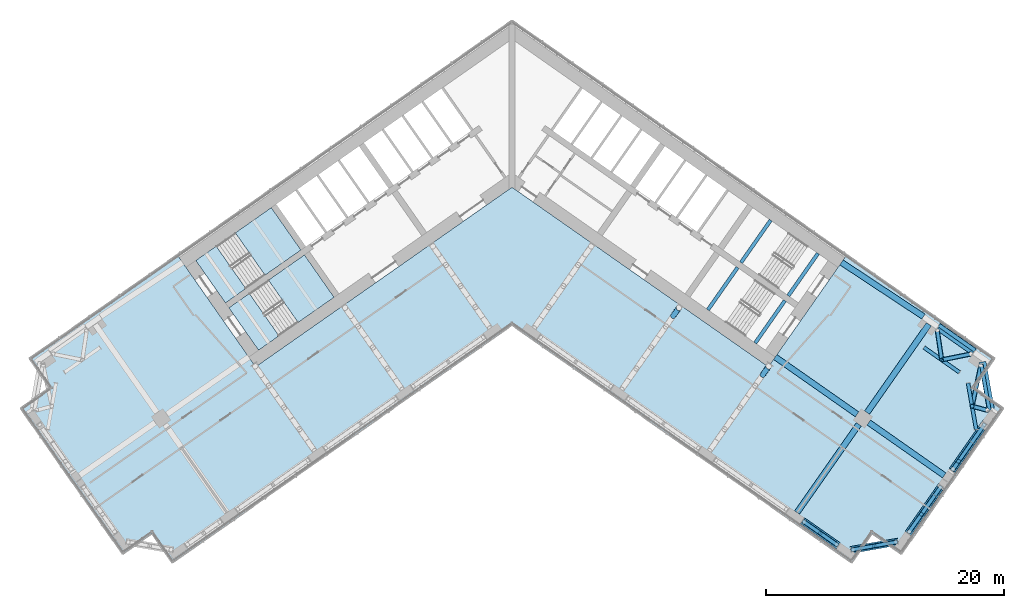
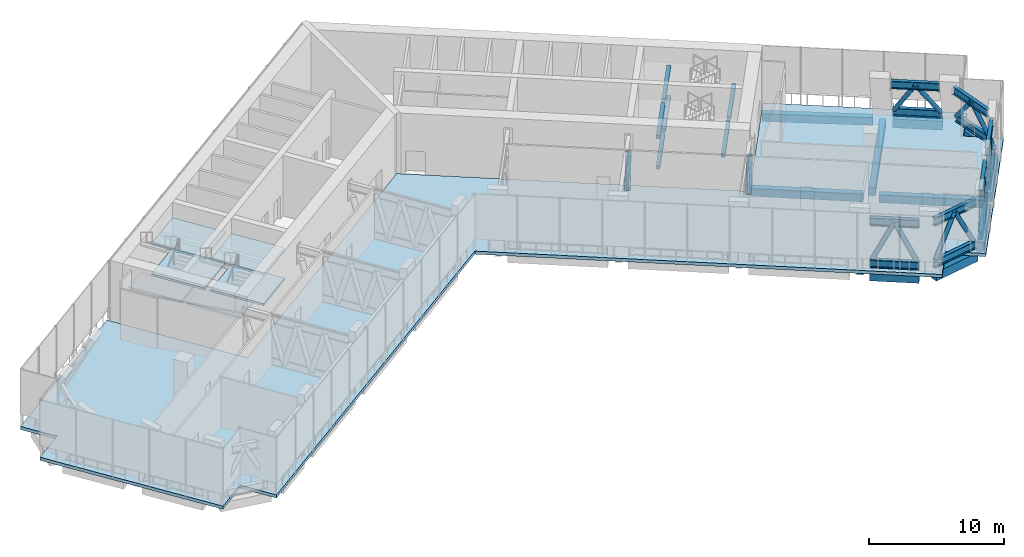
# One storey, part 3 of 24: 26 members, 17 beams, 7 slabs, 2 elements without a shape of their own.
"""IFC4 building model written with IfcOpenShell, lengths in metres."""

from ifc_helpers import new_model, si_unit, direction, frame, origin, origin_2d, place, context, subcontext, project, spatial, polyline, rectangle, hollow_circle, i_section, outline, extrude, material, layer, layer_set, material_profile, profile_set, type_object, element, aggregate, save


model = new_model("IFC4")

# Units and contexts
model_context = context("Model", 3, precision=1e-05, world=origin(), true_north=direction((0.0, 1.0)))
body_context = subcontext(model_context, "Body", "Model", "MODEL_VIEW")
ifc_project = project(units=[si_unit("LENGTHUNIT", "METRE"), si_unit("AREAUNIT", "SQUARE_METRE"), si_unit("VOLUMEUNIT", "CUBIC_METRE"), si_unit("PLANEANGLEUNIT", "RADIAN"), si_unit("MASSUNIT", "GRAM", prefix="KILO")], contexts=[model_context])

# Site, building, storey
site_placement = place(None, origin())
site = spatial("IfcSite", under=ifc_project, at=site_placement, CompositionType="ELEMENT")
building_placement = place(site_placement, origin())
building = spatial("IfcBuilding", under=site, at=building_placement, Name="Tel Ilan Convention Tower", CompositionType="ELEMENT")
storey_placement = place(building_placement, frame((0.0, 0.0, 126.5)))
storey = spatial("IfcBuildingStorey", under=building, at=storey_placement, Name="L28", CompositionType="ELEMENT", Elevation=126.5)

# Beams
ifc_material_1 = material(Name="Concrete C40/50", Category="concrete")
ifc_material_profile_1 = material_profile(ifc_material_1, rectangle(XDim=0.5, YDim=0.699951171875, at=origin_2d()), Name="RC 500x700")
ifc_profile_set_1 = profile_set([ifc_material_profile_1], Name="Concrete C40/50")
beam_type_1 = type_object("IfcBeamType", Name="Beam RC 500x700 Concrete C40/50", PredefinedType="BEAM", material=ifc_profile_set_1)
beam_1_placement = place(storey_placement, frame((34.570556640625, -12.08447265625, -0.6298828125), z_axis=(-0.834273603487, 0.551350663847, 0.0), x_axis=(-0.551350663847, -0.834273603487, 0.0)))
element("IfcBeam", 1, at=beam_1_placement, inside=storey, type_object=beam_type_1, Name="L28 beam E-E-B4-core", PredefinedType="BEAM", context=body_context, shape_type="SweptSolid", body=[
    extrude(rectangle(XDim=0.5, YDim=0.699951171875, at=origin_2d()), origin(), (0.0, 0.0, 1.0), 8.2529296875),
])
beam_2_placement = place(storey_placement, frame((22.1171875, -15.486572265625, -0.6298828125), z_axis=(0.819147254605, -0.573583276668, 0.0), x_axis=(0.573583276668, 0.819147254605, 0.0)))
element("IfcBeam", 2, at=beam_2_placement, inside=storey, type_object=beam_type_1, Name="L28 beam E-core-E-M4", PredefinedType="BEAM", context=body_context, shape_type="SweptSolid", body=[
    extrude(rectangle(XDim=0.5, YDim=0.699951171875, at=origin_2d()), origin(), (0.0, 0.0, 1.0), 8.400146484375),
])
beam_3_placement = place(storey_placement, frame((29.98095703125, -20.992919921875, -0.6298828125), z_axis=(0.819159394801, -0.573565938589, 0.0), x_axis=(0.573565938589, 0.819159394801, 0.0)))
element("IfcBeam", 3, at=beam_3_placement, inside=storey, type_object=beam_type_1, Name="L28 beam E-E-M4-end", PredefinedType="BEAM", context=body_context, shape_type="SweptSolid", body=[
    extrude(rectangle(XDim=0.5, YDim=0.699951171875, at=origin_2d()), origin(), (0.0, 0.0, 1.0), 7.75),
])
for number, where, z_axis, x_axis, name in (
    (4, (29.145263671875, -21.14013671875, -0.6298828125), (-0.573549245583, -0.819171082798, 0.0), (0.819171082798, -0.573549245583, 0.0), "L28 beam E-E-M4-E-F4"),
    (5, (29.83349609375, -20.1572265625, -0.6298828125), (0.57358002233, 0.819149533348, 0.0), (-0.819149533348, 0.57358002233, 0.0), "L28 beam E-E-M4-E-B4"),
):
    element("IfcBeam", number, at=place(storey_placement, frame(where, z_axis=z_axis, x_axis=x_axis)), inside=storey, type_object=beam_type_1, Name=name, PredefinedType="BEAM", context=body_context, shape_type="SweptSolid", body=[
        extrude(rectangle(XDim=0.5, YDim=0.699951171875, at=origin_2d()), origin(), (0.0, 0.0, 1.0), 9.050048828125),
    ])
ifc_material_2 = material(Name="Concrete C40/50", Category="concrete")
ifc_material_profile_2 = material_profile(ifc_material_2, rectangle(XDim=0.60009765625, YDim=0.800048828125, at=origin_2d()), Name="RC 600x800")
ifc_profile_set_2 = profile_set([ifc_material_profile_2], Name="Concrete C40/50")
beam_type_2 = type_object("IfcBeamType", Name="Beam RC 600x800 Concrete C40/50", PredefinedType="BEAM", material=ifc_profile_set_2)
beam_4_placement = place(storey_placement, frame((24.396728515625, -29.2294921875, -0.679931640625), z_axis=(0.819132709951, -0.573604047656, 0.0), x_axis=(0.573604047656, 0.819132709951, 0.0)))
element("IfcBeam", 6, at=beam_4_placement, inside=storey, type_object=beam_type_2, Name="L28 beam E-E-F4-E-FC", PredefinedType="BEAM", context=body_context, shape_type="SweptSolid", body=[
    extrude(rectangle(XDim=0.60009765625, YDim=0.800048828125, at=origin_2d()), origin(), (0.0, 0.0, 1.0), 3.699951171875),
])
beam_5_placement = place(storey_placement, frame((28.459716796875, -31.708251953125, -0.679931640625), z_axis=(0.984806721117, 0.173654029734, 0.0), x_axis=(-0.173654029734, 0.984806721117, 0.0)))
element("IfcBeam", 7, at=beam_5_placement, inside=storey, type_object=beam_type_2, Name="L28 beam E-E-FC-E-E1", PredefinedType="BEAM", context=body_context, shape_type="SweptSolid", body=[
    extrude(rectangle(XDim=0.60009765625, YDim=0.800048828125, at=origin_2d()), origin(), (0.0, 0.0, 1.0), 4.03076171875),
])
for number, where, z_axis, x_axis, name in (
    (8, (33.277099609375, -30.3203125, -0.679931640625), (0.573586866468, 0.819144740944, 0.0), (-0.819144740944, 0.573586866468, 0.0), "L28 beam E-E-E1-E-E2"),
    (9, (37.00537109375, -24.995849609375, -0.679931640625), (0.573586866468, 0.819144740944, 0.0), (-0.819144740944, 0.573586866468, 0.0), "L28 beam E-E-E2-E-E3"),
):
    element("IfcBeam", number, at=place(storey_placement, frame(where, z_axis=z_axis, x_axis=x_axis)), inside=storey, type_object=beam_type_2, Name=name, PredefinedType="BEAM", context=body_context, shape_type="SweptSolid", body=[
        extrude(rectangle(XDim=0.60009765625, YDim=0.800048828125, at=origin_2d()), origin(), (0.0, 0.0, 1.0), 5.0),
    ])
beam_6_placement = place(storey_placement, frame((40.229736328125, -19.867919921875, -0.679931640625), z_axis=(-0.173664388751, 0.984804894423, 0.0), x_axis=(-0.984804894423, -0.173664388751, 0.0)))
element("IfcBeam", 10, at=beam_6_placement, inside=storey, type_object=beam_type_2, Name="L28 beam E-E-E3-E-BC", PredefinedType="BEAM", context=body_context, shape_type="SweptSolid", body=[
    extrude(rectangle(XDim=0.60009765625, YDim=0.800048828125, at=origin_2d()), origin(), (0.0, 0.0, 1.0), 4.030517578125),
])
beam_7_placement = place(storey_placement, frame((38.841796875, -15.050537109375, -0.679931640625), z_axis=(-0.819185419371, 0.573528768842, 0.0), x_axis=(-0.573528768842, -0.819185419371, 0.0)))
element("IfcBeam", 11, at=beam_7_placement, inside=storey, type_object=beam_type_2, Name="L28 beam E-E-BC-E-B4", PredefinedType="BEAM", context=body_context, shape_type="SweptSolid", body=[
    extrude(rectangle(XDim=0.60009765625, YDim=0.800048828125, at=origin_2d()), origin(), (0.0, 0.0, 1.0), 3.699951171875),
])

# Members
ifc_material_3 = material(Name="Steel S355", Category="steel")
ifc_material_profile_3 = material_profile(ifc_material_3, i_section(OverallWidth=0.300048828125, OverallDepth=0.699951171875, WebThickness=0.01708984375, FlangeThickness=0.031982421875, FilletRadius=0.027099609375, at=origin_2d()), Name="HEB 700")
ifc_profile_set_3 = profile_set([ifc_material_profile_3], Name="Steel S355")
member_type_1 = type_object("IfcMemberType", Name="Belt Truss Chord HEB 700 Steel S355", PredefinedType="CHORD", material=ifc_profile_set_3)
for number, where, z_axis, x_axis, name in (
    (12, (24.417236328125, -29.243896484375, 0.35009765625), (0.819143920381, -0.57358803832, 0.0), (0.57358803832, 0.819143920381, 0.0), "L28 E-F4-E-FC belt member"),
    (13, (24.417236328125, -29.243896484375, 4.169921875), (0.819143920381, -0.57358803832, 0.0), (0.57358803832, 0.819143920381, 0.0), "L28 E-F4-E-FC belt member"),
):
    element("IfcMember", number, at=place(storey_placement, frame(where, z_axis=z_axis, x_axis=x_axis)), inside=storey, type_object=member_type_1, Name=name, PredefinedType="CHORD", context=body_context, shape_type="SweptSolid", body=[
        extrude(i_section(OverallWidth=0.300048828125, OverallDepth=0.699951171875, WebThickness=0.01708984375, FlangeThickness=0.031982421875, FilletRadius=0.027099609375, at=origin_2d()), origin(), (0.0, 0.0, 1.0), 3.64990234375),
    ])
for number, where, z_axis, x_axis, name in (
    (14, (28.484375, -31.703857421875, 0.35009765625), (0.984810714056, 0.173631383913, 0.0), (-0.173631383913, 0.984810714056, 0.0), "L28 E-FC-E-E1 belt member"),
    (15, (28.484375, -31.703857421875, 4.169921875), (0.984810714056, 0.173631383913, 0.0), (-0.173631383913, 0.984810714056, 0.0), "L28 E-FC-E-E1 belt member"),
):
    element("IfcMember", number, at=place(storey_placement, frame(where, z_axis=z_axis, x_axis=x_axis)), inside=storey, type_object=member_type_1, Name=name, PredefinedType="CHORD", context=body_context, shape_type="SweptSolid", body=[
        extrude(i_section(OverallWidth=0.300048828125, OverallDepth=0.699951171875, WebThickness=0.01708984375, FlangeThickness=0.031982421875, FilletRadius=0.027099609375, at=origin_2d()), origin(), (0.0, 0.0, 1.0), 3.980712890625),
    ])
member_1_placement = place(storey_placement, frame((33.29150390625, -30.2998046875, 0.35009765625), z_axis=(0.573587061335, 0.819144604493, 0.0), x_axis=(-0.819144604493, 0.573587061335, 0.0)))
element("IfcMember", 16, at=member_1_placement, inside=storey, type_object=member_type_1, Name="L28 E-E1-E-E2 belt member", PredefinedType="CHORD", context=body_context, shape_type="SweptSolid", body=[
    extrude(i_section(OverallWidth=0.300048828125, OverallDepth=0.699951171875, WebThickness=0.01708984375, FlangeThickness=0.031982421875, FilletRadius=0.027099609375, at=origin_2d()), origin(), (0.0, 0.0, 1.0), 4.86083984375),
])
member_2_placement = place(storey_placement, frame((33.29150390625, -30.2998046875, 4.169921875), z_axis=(0.573550831465, 0.819169972427, 0.0), x_axis=(-0.819169972427, 0.573550831465, 0.0)))
element("IfcMember", 17, at=member_2_placement, inside=storey, type_object=member_type_1, Name="L28 E-E1-E-E2 belt member", PredefinedType="CHORD", context=body_context, shape_type="SweptSolid", body=[
    extrude(i_section(OverallWidth=0.300048828125, OverallDepth=0.699951171875, WebThickness=0.01708984375, FlangeThickness=0.031982421875, FilletRadius=0.027099609375, at=origin_2d()), origin(), (0.0, 0.0, 1.0), 3.888427734375),
])
member_3_placement = place(storey_placement, frame((36.968505859375, -25.04833984375, 0.35009765625), z_axis=(0.573563463091, 0.81916112811, 0.0), x_axis=(-0.81916112811, 0.573563463091, 0.0)))
element("IfcMember", 18, at=member_3_placement, inside=storey, type_object=member_type_1, Name="L28 E-E2-E-E3 belt member", PredefinedType="CHORD", context=body_context, shape_type="SweptSolid", body=[
    extrude(i_section(OverallWidth=0.300048828125, OverallDepth=0.699951171875, WebThickness=0.01708984375, FlangeThickness=0.031982421875, FilletRadius=0.027099609375, at=origin_2d()), origin(), (0.0, 0.0, 1.0), 4.861083984375),
])
member_4_placement = place(storey_placement, frame((36.410888671875, -25.8447265625, 4.169921875), z_axis=(0.573550831465, 0.819169972427, 0.0), x_axis=(-0.819169972427, 0.573550831465, 0.0)))
element("IfcMember", 19, at=member_4_placement, inside=storey, type_object=member_type_1, Name="L28 E-E2-E-E3 belt member", PredefinedType="CHORD", context=body_context, shape_type="SweptSolid", body=[
    extrude(i_section(OverallWidth=0.300048828125, OverallDepth=0.699951171875, WebThickness=0.01708984375, FlangeThickness=0.031982421875, FilletRadius=0.027099609375, at=origin_2d()), origin(), (0.0, 0.0, 1.0), 3.888427734375),
])
for number, where, z_axis, x_axis, name in (
    (20, (40.123291015625, -19.9892578125, 0.35009765625), (-0.173690866103, 0.984800224935, 0.0), (-0.984800224935, -0.173690866103, 0.0), "L28 E-E3-E-BC belt member"),
    (21, (39.0078125, -21.582275390625, 4.169921875), (-0.173690866103, 0.984800224935, 0.0), (-0.984800224935, -0.173690866103, 0.0), "L28 E-E3-E-BC belt member"),
):
    element("IfcMember", number, at=place(storey_placement, frame(where, z_axis=z_axis, x_axis=x_axis)), inside=storey, type_object=member_type_1, Name=name, PredefinedType="CHORD", context=body_context, shape_type="SweptSolid", body=[
        extrude(i_section(OverallWidth=0.300048828125, OverallDepth=0.699951171875, WebThickness=0.01708984375, FlangeThickness=0.031982421875, FilletRadius=0.027099609375, at=origin_2d()), origin(), (0.0, 0.0, 1.0), 3.980712890625),
    ])
member_5_placement = place(storey_placement, frame((38.718994140625, -15.18212890625, 0.35009765625), z_axis=(-0.819143920381, 0.57358803832, 0.0), x_axis=(-0.57358803832, -0.819143920381, 0.0)))
element("IfcMember", 22, at=member_5_placement, inside=storey, type_object=member_type_1, Name="L28 E-BC-E-B4 belt member", PredefinedType="CHORD", context=body_context, shape_type="SweptSolid", body=[
    extrude(i_section(OverallWidth=0.300048828125, OverallDepth=0.699951171875, WebThickness=0.01708984375, FlangeThickness=0.031982421875, FilletRadius=0.027099609375, at=origin_2d()), origin(), (0.0, 0.0, 1.0), 3.64990234375),
])
member_6_placement = place(storey_placement, frame((37.603759765625, -16.775146484375, 4.169921875), z_axis=(-0.81916592584, 0.573556610931, 0.0), x_axis=(-0.573556610931, -0.81916592584, 0.0)))
element("IfcMember", 23, at=member_6_placement, inside=storey, type_object=member_type_1, Name="L28 E-BC-E-B4 belt member", PredefinedType="CHORD", context=body_context, shape_type="SweptSolid", body=[
    extrude(i_section(OverallWidth=0.300048828125, OverallDepth=0.699951171875, WebThickness=0.01708984375, FlangeThickness=0.031982421875, FilletRadius=0.027099609375, at=origin_2d()), origin(), (0.0, 0.0, 1.0), 3.650146484375),
])
ifc_material_4 = material(Name="Steel S355", Category="steel")
ifc_material_profile_4 = material_profile(ifc_material_4, hollow_circle(Radius=0.177734375, WallThickness=0.01416015625, at=origin_2d()), Name="CHS 355.6x14.2")
ifc_profile_set_4 = profile_set([ifc_material_profile_4], Name="Steel S355")
member_type_2 = type_object("IfcMemberType", Name="Belt Truss Diagonal CHS 355.6x14.2 Steel S355", PredefinedType="BRACE", material=ifc_profile_set_4)
for number, where, z_axis, x_axis, name in (
    (24, (24.555419921875, -29.340576171875, 0.75), (0.357037397618, -0.249996853362, 0.900014372114), (0.573571165261, 0.819155735121, 0.0), "L28 E-F4-E-FC belt member"),
    (25, (25.912109375, -30.29052734375, 4.169921875), (0.357037397618, -0.249996853362, -0.900014372114), (0.573571165261, 0.819155735121, 0.0), "L28 E-F4-E-FC belt member"),
):
    element("IfcMember", number, at=place(storey_placement, frame(where, z_axis=z_axis, x_axis=x_axis)), inside=storey, type_object=member_type_2, Name=name, PredefinedType="BRACE", context=body_context, shape_type="SweptSolid", body=[
        extrude(hollow_circle(Radius=0.177734375, WallThickness=0.01416015625, at=origin_2d()), origin(), (0.0, 0.0, 1.0), 3.7998046875),
    ])
member_7_placement = place(storey_placement, frame((28.6484375, -31.675048828125, 0.713134765625), z_axis=(0.459507542706, 0.081019750257, 0.884470812557), x_axis=(-0.173640222265, 0.984809155731, 0.0)))
element("IfcMember", 26, at=member_7_placement, inside=storey, type_object=member_type_2, Name="L28 E-FC-E-E1 belt member", PredefinedType="BRACE", context=body_context, shape_type="SweptSolid", body=[
    extrude(hollow_circle(Radius=0.177734375, WallThickness=0.01416015625, at=origin_2d()), origin(), (0.0, 0.0, 1.0), 3.908203125),
])
member_8_placement = place(storey_placement, frame((30.4443359375, -31.3583984375, 4.169921875), z_axis=(0.459554491292, 0.081079479366, -0.884440946338), x_axis=(-0.173747152922, 0.984790295876, 0.0)))
element("IfcMember", 27, at=member_8_placement, inside=storey, type_object=member_type_2, Name="L28 E-FC-E-E1 belt member", PredefinedType="BRACE", context=body_context, shape_type="SweptSolid", body=[
    extrude(hollow_circle(Radius=0.177734375, WallThickness=0.01416015625, at=origin_2d()), origin(), (0.0, 0.0, 1.0), 3.908447265625),
])
member_9_placement = place(storey_placement, frame((33.38720703125, -30.162841796875, 0.722900390625), z_axis=(0.262832292245, 0.37533080871, 0.888845301606), x_axis=(-0.819128633022, 0.573609869653, 0.0)))
element("IfcMember", 28, at=member_9_placement, inside=storey, type_object=member_type_2, Name="L28 E-E1-E-E2 belt member", PredefinedType="BRACE", context=body_context, shape_type="SweptSolid", body=[
    extrude(hollow_circle(Radius=0.177734375, WallThickness=0.01416015625, at=origin_2d()), origin(), (0.0, 0.0, 1.0), 3.878173828125),
])
member_10_placement = place(storey_placement, frame((34.406494140625, -28.707275390625, 4.169921875), z_axis=(0.349973217311, 0.4998154388, -0.792277271101), x_axis=(-0.819153061236, 0.573574983997, 0.0)))
element("IfcMember", 29, at=member_10_placement, inside=storey, type_object=member_type_2, Name="L28 E-E1-E-E2 belt member", PredefinedType="BRACE", context=body_context, shape_type="SweptSolid", body=[
    extrude(hollow_circle(Radius=0.177734375, WallThickness=0.01416015625, at=origin_2d()), origin(), (0.0, 0.0, 1.0), 4.529541015625),
])
member_11_placement = place(storey_placement, frame((37.070068359375, -24.9033203125, 1.12451171875), z_axis=(0.144820413412, 0.206875223659, 0.967589628766), x_axis=(-0.819217489541, 0.573482959495, 0.0)))
element("IfcMember", 30, at=member_11_placement, inside=storey, type_object=member_type_2, Name="L28 E-E2-E-E3 belt member", PredefinedType="BRACE", context=body_context, shape_type="SweptSolid", body=[
    extrude(hollow_circle(Radius=0.177734375, WallThickness=0.01416015625, at=origin_2d()), origin(), (0.0, 0.0, 1.0), 3.1474609375),
])
member_12_placement = place(storey_placement, frame((37.52587890625, -24.252197265625, 4.169921875), z_axis=(0.410505503727, 0.586223474683, -0.698446325168), x_axis=(-0.819134050212, 0.573602133699, 0.0)))
element("IfcMember", 31, at=member_12_placement, inside=storey, type_object=member_type_2, Name="L28 E-E2-E-E3 belt member", PredefinedType="BRACE", context=body_context, shape_type="SweptSolid", body=[
    extrude(hollow_circle(Radius=0.177734375, WallThickness=0.01416015625, at=origin_2d()), origin(), (0.0, 0.0, 1.0), 5.24072265625),
])
member_13_placement = place(storey_placement, frame((39.9365234375, -19.962890625, 0.84765625), z_axis=(-0.356522040086, 0.095277441747, 0.929416076914), x_axis=(-0.258180979791, -0.966096569539, 0.0)))
element("IfcMember", 32, at=member_13_placement, inside=storey, type_object=member_type_2, Name="L28 E-E3-E-BC belt member", PredefinedType="BRACE", context=body_context, shape_type="SweptSolid", body=[
    extrude(hollow_circle(Radius=0.177734375, WallThickness=0.01416015625, at=origin_2d()), origin(), (0.0, 0.0, 1.0), 3.574462890625),
])
member_14_placement = place(storey_placement, frame((38.662109375, -19.622314453125, 4.169921875), z_axis=(0.144713906449, 0.676411758586, -0.722166890772), x_axis=(-0.977870920227, 0.209209137885, 0.0)))
element("IfcMember", 33, at=member_14_placement, inside=storey, type_object=member_type_2, Name="L28 E-E3-E-BC belt member", PredefinedType="BRACE", context=body_context, shape_type="SweptSolid", body=[
    extrude(hollow_circle(Radius=0.177734375, WallThickness=0.01416015625, at=origin_2d()), origin(), (0.0, 0.0, 1.0), 5.047607421875),
])
member_15_placement = place(storey_placement, frame((38.561279296875, -15.232666015625, 0.60888671875), z_axis=(-0.56353029809, -0.113928930462, 0.818201565593), x_axis=(0.198160886841, -0.980169507242, 0.0)))
element("IfcMember", 34, at=member_15_placement, inside=storey, type_object=member_type_2, Name="L28 E-BC-E-B4 belt member", PredefinedType="BRACE", context=body_context, shape_type="SweptSolid", body=[
    extrude(hollow_circle(Radius=0.177734375, WallThickness=0.01416015625, at=origin_2d()), origin(), (0.0, 0.0, 1.0), 4.352294921875),
])
member_16_placement = place(storey_placement, frame((36.108642578125, -15.728515625, 4.169921875), z_axis=(-0.085659398021, 0.568482213196, -0.818223955168), x_axis=(-0.988837364579, -0.148998880572, 0.0)))
element("IfcMember", 35, at=member_16_placement, inside=storey, type_object=member_type_2, Name="L28 E-BC-E-B4 belt member", PredefinedType="BRACE", context=body_context, shape_type="SweptSolid", body=[
    extrude(hollow_circle(Radius=0.177734375, WallThickness=0.01416015625, at=origin_2d()), origin(), (0.0, 0.0, 1.0), 4.35205078125),
])

# Beams
ifc_material_5 = material(Name="Concrete C40/50", Category="concrete")
ifc_material_profile_5 = material_profile(ifc_material_5, rectangle(XDim=0.300048828125, YDim=0.300048828125, at=origin_2d()), Name="RC 300x300")
ifc_profile_set_5 = profile_set([ifc_material_profile_5], Name="Concrete C40/50")
beam_type_3 = type_object("IfcBeamType", Name="Landing Beam RC 300x300 Concrete C40/50", PredefinedType="BEAM", material=ifc_profile_set_5)
beam_8_placement = place(storey_placement, frame((21.738037109375, -3.989990234375, 1.02490234375), z_axis=(-0.57356780395, -0.819158088694, 0.0), x_axis=(0.819158088694, -0.57356780395, 0.0)))
element("IfcBeam", 36, at=beam_8_placement, inside=storey, type_object=beam_type_3, Name="S3 landing beam L28.1", PredefinedType="BEAM", context=body_context, shape_type="SweptSolid", body=[
    extrude(rectangle(XDim=0.300048828125, YDim=0.300048828125, at=origin_2d()), origin(), (0.0, 0.0, 1.0), 4.35009765625),
])
beam_9_placement = place(storey_placement, frame((25.71435546875, -6.7744140625, 2.39990234375), z_axis=(-0.573556512523, -0.819165994742, 0.0), x_axis=(0.819165994742, -0.573556512523, 0.0)))
element("IfcBeam", 37, at=beam_9_placement, inside=storey, type_object=beam_type_3, Name="S3 landing beam L28.2", PredefinedType="BEAM", context=body_context, shape_type="SweptSolid", body=[
    extrude(rectangle(XDim=0.300048828125, YDim=0.300048828125, at=origin_2d()), origin(), (0.0, 0.0, 1.0), 4.349853515625),
])
beam_10_placement = place(storey_placement, frame((21.738037109375, -3.989990234375, 3.77490234375), z_axis=(-0.57356780395, -0.819158088694, 0.0), x_axis=(0.819158088694, -0.57356780395, 0.0)))
element("IfcBeam", 38, at=beam_10_placement, inside=storey, type_object=beam_type_3, Name="S3 landing beam L28.3", PredefinedType="BEAM", context=body_context, shape_type="SweptSolid", body=[
    extrude(rectangle(XDim=0.300048828125, YDim=0.300048828125, at=origin_2d()), origin(), (0.0, 0.0, 1.0), 4.35009765625),
])
for number, where, z_axis, x_axis, name in (
    (39, (18.956298828125, -7.962890625, 1.02490234375), (-0.573594173421, -0.819139624372, 0.0), (0.819139624372, -0.573594173421, 0.0), "S4 landing beam L28.1"),
    (40, (22.9326171875, -10.747314453125, 2.39990234375), (-0.573594173421, -0.819139624372, 0.0), (0.819139624372, -0.573594173421, 0.0), "S4 landing beam L28.2"),
    (41, (18.956298828125, -7.962890625, 3.77490234375), (-0.573594173421, -0.819139624372, 0.0), (0.819139624372, -0.573594173421, 0.0), "S4 landing beam L28.3"),
):
    element("IfcBeam", number, at=place(storey_placement, frame(where, z_axis=z_axis, x_axis=x_axis)), inside=storey, type_object=beam_type_3, Name=name, PredefinedType="BEAM", context=body_context, shape_type="SweptSolid", body=[
        extrude(rectangle(XDim=0.300048828125, YDim=0.300048828125, at=origin_2d()), origin(), (0.0, 0.0, 1.0), 4.349853515625),
    ])

# Members
ifc_material_6 = material(Name="Steel S355", Category="steel")
ifc_material_profile_6 = material_profile(ifc_material_6, hollow_circle(Radius=0.228515625, WallThickness=0.01611328125, at=origin_2d()), Name="CHS 457x16")
ifc_profile_set_6 = profile_set([ifc_material_profile_6], Name="Steel S355")
member_type_3 = type_object("IfcMemberType", Name="Outrigger Diagonal CHS 457x16 Steel S355", PredefinedType="BRACE", material=ifc_profile_set_6)
member_17_placement = place(storey_placement, frame((13.551025390625, -12.029296875, 0.35009765625), z_axis=(0.156181482206, 0.223081900615, 0.962206739861), x_axis=(-0.819190252408, 0.573521865634, 0.0)))
element("IfcMember", 42, at=member_17_placement, inside=storey, type_object=member_type_3, Name="L28 E-F2 outrigger member", PredefinedType="BRACE", context=body_context, shape_type="SweptSolid", body=[
    extrude(hollow_circle(Radius=0.228515625, WallThickness=0.01611328125, at=origin_2d()), origin(), (0.0, 0.0, 1.0), 3.032470703125),
])
member_18_placement = place(storey_placement, frame((21.073974609375, -16.976318359375, 0.35009765625), z_axis=(0.161181155571, 0.23021340012, 0.959699132798), x_axis=(-0.819178797736, 0.573538226572, 0.0)))
element("IfcMember", 43, at=member_18_placement, inside=storey, type_object=member_type_3, Name="L28 E-F3 outrigger member", PredefinedType="BRACE", context=body_context, shape_type="SweptSolid", body=[
    extrude(hollow_circle(Radius=0.228515625, WallThickness=0.01611328125, at=origin_2d()), origin(), (0.0, 0.0, 1.0), 3.0732421875),
])

# Stair, slabs
ifc_material_7 = material(Name="Concrete C40/50", Category="concrete")
stair_type = type_object("IfcStairType", Name="Pressurised Exit Stair 32 risers 172 mm", PredefinedType="HALF_TURN_STAIR", material=ifc_material_7)
stair_1_placement = place(storey_placement, origin())
stair_1 = element("IfcStair", 44, at=stair_1_placement, inside=storey, type_object=stair_type, Name="L28 Pressurised Stair S1", PredefinedType="HALF_TURN_STAIR")
ifc_material_8 = material(Name="Concrete C40/50", Category="concrete")
ifc_layer_1 = layer(ifc_material_8, 0.199951171875)
ifc_layer_set_1 = layer_set([ifc_layer_1], Name="Concrete Stair Landing 200 mm C40/50")
slab_type_1 = type_object("IfcSlabType", Name="Concrete Stair Landing 200 mm", PredefinedType="LANDING", material=ifc_layer_set_1)
slab_1_placement = place(storey_placement, frame((0.0, 0.0, 1.175048828125)))
slab_1 = element("IfcSlab", 45, at=slab_1_placement, type_object=slab_type_1, Name="S1 landing 1", PredefinedType="LANDING", context=body_context, shape_type="SweptSolid", body=[
    extrude(outline(polyline([(-20.754638671875, -8.61181640625), (-17.7314453125, -6.494873046875), (-20.226318359375, -2.931640625), (-23.249755859375, -5.048583984375), (-20.754638671875, -8.61181640625)])), origin(), (0.0, 0.0, 1.0), 0.199951171875),
])
slab_2_placement = place(storey_placement, frame((0.0, 0.0, 2.550048828125)))
slab_2 = element("IfcSlab", 46, at=slab_2_placement, type_object=slab_type_1, Name="S1 landing 2", PredefinedType="LANDING", context=body_context, shape_type="SweptSolid", body=[
    extrude(outline(polyline([(-24.079833984375, -10.940185546875), (-22.35888671875, -9.735107421875), (-24.85400390625, -6.171875), (-26.574951171875, -7.376708984375), (-24.079833984375, -10.940185546875)])), origin(), (0.0, 0.0, 1.0), 0.199951171875),
])
slab_3_placement = place(storey_placement, frame((0.0, 0.0, 3.925048828125)))
slab_3 = element("IfcSlab", 47, at=slab_3_placement, type_object=slab_type_1, Name="S1 landing 3", PredefinedType="LANDING", context=body_context, shape_type="SweptSolid", body=[
    extrude(outline(polyline([(-20.754638671875, -8.61181640625), (-17.7314453125, -6.494873046875), (-20.226318359375, -2.931640625), (-23.249755859375, -5.048583984375), (-20.754638671875, -8.61181640625)])), origin(), (0.0, 0.0, 1.0), 0.199951171875),
])
aggregate(stair_1, [slab_1, slab_2, slab_3])

stair_2_placement = place(storey_placement, origin())
stair_2 = element("IfcStair", 48, at=stair_2_placement, inside=storey, type_object=stair_type, Name="L28 Pressurised Stair S2", PredefinedType="HALF_TURN_STAIR")
slab_4_placement = place(storey_placement, frame((0.0, 0.0, 1.175048828125)))
slab_4 = element("IfcSlab", 49, at=slab_4_placement, type_object=slab_type_1, Name="S2 landing 1", PredefinedType="LANDING", context=body_context, shape_type="SweptSolid", body=[
    extrude(outline(polyline([(-17.972900390625, -12.584716796875), (-14.949462890625, -10.4677734375), (-17.444580078125, -6.904541015625), (-20.468017578125, -9.021484375), (-17.972900390625, -12.584716796875)])), origin(), (0.0, 0.0, 1.0), 0.199951171875),
])
slab_5_placement = place(storey_placement, frame((0.0, 0.0, 2.550048828125)))
slab_5 = element("IfcSlab", 50, at=slab_5_placement, type_object=slab_type_1, Name="S2 landing 2", PredefinedType="LANDING", context=body_context, shape_type="SweptSolid", body=[
    extrude(outline(polyline([(-21.2978515625, -14.9130859375), (-19.5771484375, -13.7080078125), (-22.072021484375, -10.144775390625), (-23.79296875, -11.349609375), (-21.2978515625, -14.9130859375)])), origin(), (0.0, 0.0, 1.0), 0.199951171875),
])
slab_6_placement = place(storey_placement, frame((0.0, 0.0, 3.925048828125)))
slab_6 = element("IfcSlab", 51, at=slab_6_placement, type_object=slab_type_1, Name="S2 landing 3", PredefinedType="LANDING", context=body_context, shape_type="SweptSolid", body=[
    extrude(outline(polyline([(-17.972900390625, -12.584716796875), (-14.949462890625, -10.4677734375), (-17.444580078125, -6.904541015625), (-20.468017578125, -9.021484375), (-17.972900390625, -12.584716796875)])), origin(), (0.0, 0.0, 1.0), 0.199951171875),
])
aggregate(stair_2, [slab_4, slab_5, slab_6])

# Slab
ifc_material_9 = material(Name="Concrete C40/50", Category="concrete")
ifc_layer_2 = layer(ifc_material_9, 0.280029296875)
ifc_layer_set_2 = layer_set([ifc_layer_2], Name="Flat Plate Floor Slab 280 mm C40/50")
slab_type_2 = type_object("IfcSlabType", Name="Flat Plate Floor Slab 280 mm C40/50", PredefinedType="FLOOR", material=ifc_layer_set_2)
slab_7_placement = place(storey_placement, frame((0.0, 0.0, -0.280029296875)))
element("IfcSlab", 52, at=slab_7_placement, inside=storey, type_object=slab_type_2, Name="L28 floor slab", PredefinedType="FLOOR", context=body_context, shape_type="SweptSolid", body=[
    extrude(outline(polyline([(40.5908203125, -15.603759765625), (38.8701171875, -18.061279296875), (41.327392578125, -19.781982421875), (32.723876953125, -32.0693359375), (30.266357421875, -30.3486328125), (28.545654296875, -32.805908203125), (0.0, -12.818115234375), (-28.545654296875, -32.805908203125), (-30.266357421875, -30.3486328125), (-32.723876953125, -32.0693359375), (-41.327392578125, -19.781982421875), (-38.8701171875, -18.061279296875), (-40.5908203125, -15.603759765625), (-28.1396484375, -6.885498046875), (-21.54345703125, -16.3056640625), (0.0, -1.220703125), (21.54345703125, -16.3056640625), (28.1396484375, -6.885498046875), (40.5908203125, -15.603759765625)])), origin(), (0.0, 0.0, 1.0), 0.280029296875),
])

save(model, "model.ifc")
